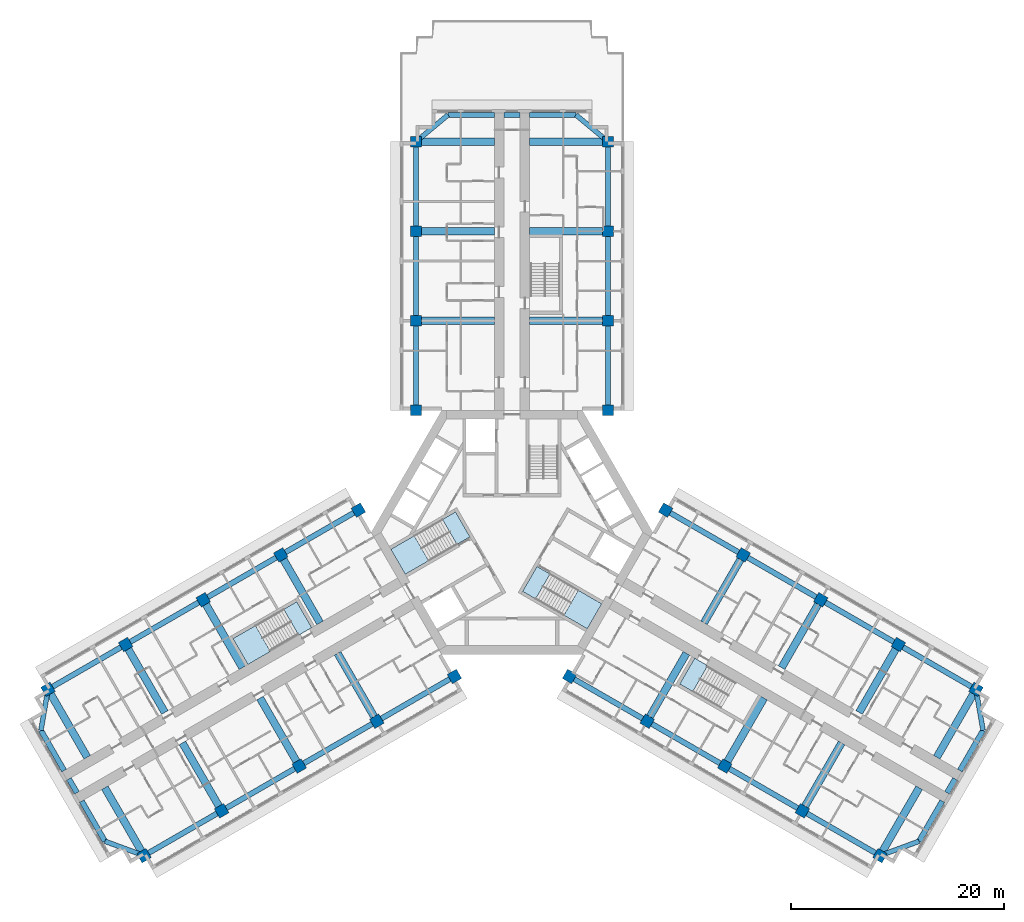
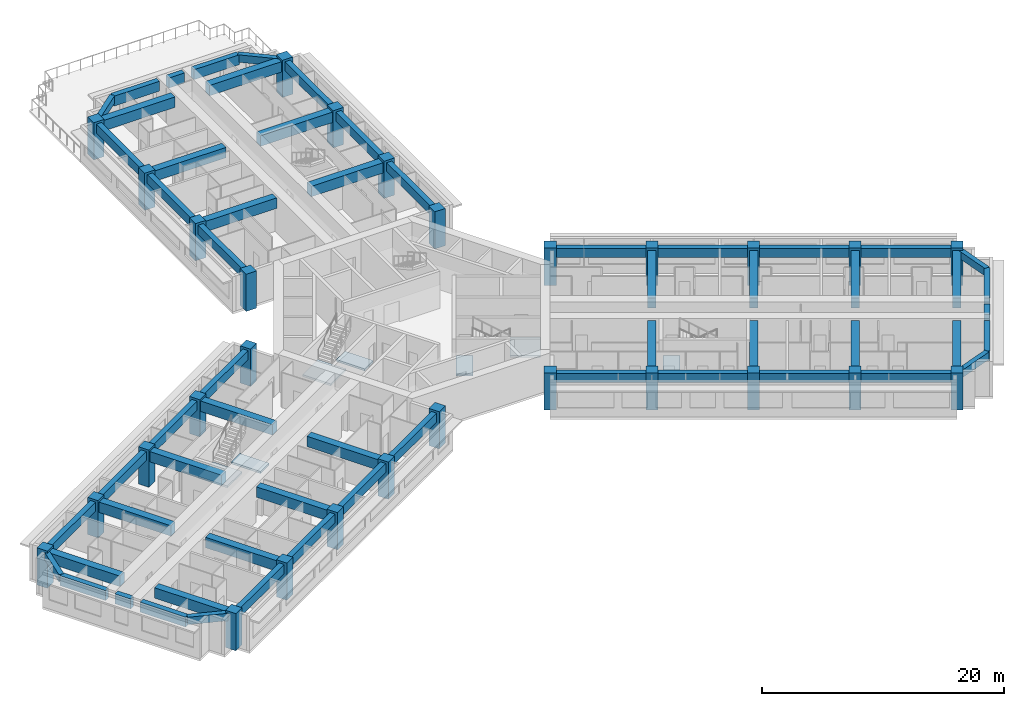
# One storey, part 1 of 16: 59 beams, 28 columns, 7 slabs, 4 elements without a shape of their own.
"""IFC4 building model written with IfcOpenShell, lengths in metres."""

from ifc_helpers import new_model, si_unit, direction, frame, origin, origin_2d, place, context, subcontext, project, spatial, polyline, rectangle, outline, extrude, material, layer, layer_set, material_profile, profile_set, type_object, element, aggregate, save


model = new_model("IFC4")

# Units and contexts
model_context = context("Model", 3, precision=1e-05, world=origin(), true_north=direction((0.0, 1.0)))
body_context = subcontext(model_context, "Body", "Model", "MODEL_VIEW")
ifc_project = project(units=[si_unit("LENGTHUNIT", "METRE"), si_unit("AREAUNIT", "SQUARE_METRE"), si_unit("VOLUMEUNIT", "CUBIC_METRE"), si_unit("PLANEANGLEUNIT", "RADIAN"), si_unit("MASSUNIT", "GRAM", prefix="KILO")], contexts=[model_context])

# Site, building, storey
site_placement = place(None, origin())
site = spatial("IfcSite", under=ifc_project, at=site_placement, CompositionType="ELEMENT")
building_placement = place(site_placement, origin())
building = spatial("IfcBuilding", under=site, at=building_placement, Name="Impinga Residences", CompositionType="ELEMENT")
storey_placement = place(building_placement, frame((0.0, 0.0, 106.0)))
storey = spatial("IfcBuildingStorey", under=building, at=storey_placement, Name="L25", CompositionType="ELEMENT", Elevation=106.0)

# Columns
ifc_material_1 = material(Name="Concrete C60/75", Category="concrete")
ifc_material_profile_1 = material_profile(ifc_material_1, rectangle(XDim=1.0, YDim=1.0, at=origin_2d()), Name="RC 1000x1000")
ifc_profile_set_1 = profile_set([ifc_material_profile_1], Name="Concrete C60/75")
column_type = type_object("IfcColumnType", Name="C3 1000x1000 column", PredefinedType="COLUMN", material=ifc_profile_set_1)
for number, where, z_axis, x_axis, name in (
    (1, (-9.0, 11.431640625, 0.0), (0.0, 0.0, 1.0), (1.0, 0.0, 0.0), "Column C3 N1/NA L25"),
    (2, (9.0, 11.431640625, 0.0), (0.0, 0.0, 1.0), (1.0, 0.0, 0.0), "Column C3 N1/NF L25"),
    (3, (-9.0, 19.83154296875, 0.0), (0.0, 0.0, 1.0), (1.0, 0.0, 0.0), "Column C3 N2/NA L25"),
    (4, (9.0, 19.83154296875, 0.0), (0.0, 0.0, 1.0), (1.0, 0.0, 0.0), "Column C3 N2/NF L25"),
    (5, (-9.0, 28.2314453125, 0.0), (0.0, 0.0, 1.0), (1.0, 0.0, 0.0), "Column C3 N3/NA L25"),
    (6, (9.0, 28.2314453125, 0.0), (0.0, 0.0, 1.0), (1.0, 0.0, 0.0), "Column C3 N3/NF L25"),
    (7, (-9.0, 36.631591796875, 0.0), (0.0, 0.0, 1.0), (1.0, 0.0, 0.0), "Column C3 N4/NA L25"),
    (8, (9.0, 36.631591796875, 0.0), (0.0, 0.0, 1.0), (1.0, 0.0, 0.0), "Column C3 N4/NF L25"),
    (9, (-5.39990234375, -13.510009765625, 0.0), (0.0, 0.0, 1.0), (-0.5, 0.866025403784, 0.0), "Column C3 W1/WA L25"),
    (10, (-14.39990234375, 2.078369140625, 0.0), (0.0, 0.0, 1.0), (-0.5, 0.866025403784, 0.0), "Column C3 W1/WF L25"),
    (11, (-12.674560546875, -17.7099609375, 0.0), (0.0, 0.0, 1.0), (-0.5, 0.866025403784, 0.0), "Column C3 W2/WA L25"),
    (12, (-21.674560546875, -2.12158203125, 0.0), (0.0, 0.0, 1.0), (-0.5, 0.866025403784, 0.0), "Column C3 W2/WF L25"),
    (13, (-19.94921875, -21.909912109375, 0.0), (0.0, 0.0, 1.0), (-0.5, 0.866025403784, 0.0), "Column C3 W3/WA L25"),
    (14, (-28.94921875, -6.321533203125, 0.0), (0.0, 0.0, 1.0), (-0.5, 0.866025403784, 0.0), "Column C3 W3/WF L25"),
    (15, (-27.223876953125, -26.110107421875, 0.0), (0.0, 0.0, 1.0), (-0.5, 0.866025403784, 0.0), "Column C3 W4/WA L25"),
    (16, (-36.223876953125, -10.521484375, 0.0), (0.0, 0.0, 1.0), (-0.5, 0.866025403784, 0.0), "Column C3 W4/WF L25"),
    (17, (-34.49853515625, -30.31005859375, 0.0), (0.0, 0.0, 1.0), (-0.5, 0.866025403784, 0.0), "Column C3 W5/WA L25"),
    (18, (-43.49853515625, -14.721435546875, 0.0), (0.0, 0.0, 1.0), (-0.5, 0.866025403784, 0.0), "Column C3 W5/WF L25"),
    (19, (14.39990234375, 2.078369140625, 0.0), (0.0, 0.0, 1.0), (-0.5, -0.866025403784, 0.0), "Column C3 E1/EA L25"),
    (20, (5.39990234375, -13.510009765625, 0.0), (0.0, 0.0, 1.0), (-0.5, -0.866025403784, 0.0), "Column C3 E1/EF L25"),
    (21, (21.674560546875, -2.12158203125, 0.0), (0.0, 0.0, 1.0), (-0.5, -0.866025403784, 0.0), "Column C3 E2/EA L25"),
    (22, (12.674560546875, -17.7099609375, 0.0), (0.0, 0.0, 1.0), (-0.5, -0.866025403784, 0.0), "Column C3 E2/EF L25"),
    (23, (28.94921875, -6.321533203125, 0.0), (0.0, 0.0, 1.0), (-0.5, -0.866025403784, 0.0), "Column C3 E3/EA L25"),
    (24, (19.94921875, -21.909912109375, 0.0), (0.0, 0.0, 1.0), (-0.5, -0.866025403784, 0.0), "Column C3 E3/EF L25"),
    (25, (36.223876953125, -10.521484375, 0.0), (0.0, 0.0, 1.0), (-0.5, -0.866025403784, 0.0), "Column C3 E4/EA L25"),
    (26, (27.223876953125, -26.110107421875, 0.0), (0.0, 0.0, 1.0), (-0.5, -0.866025403784, 0.0), "Column C3 E4/EF L25"),
    (27, (43.49853515625, -14.721435546875, 0.0), (0.0, 0.0, 1.0), (-0.5, -0.866025403784, 0.0), "Column C3 E5/EA L25"),
    (28, (34.49853515625, -30.31005859375, 0.0), (0.0, 0.0, 1.0), (-0.5, -0.866025403784, 0.0), "Column C3 E5/EF L25"),
):
    element("IfcColumn", number, at=place(storey_placement, frame(where, z_axis=z_axis, x_axis=x_axis)), inside=storey, type_object=column_type, Name=name, PredefinedType="COLUMN", context=body_context, shape_type="SweptSolid", body=[
        extrude(rectangle(XDim=1.0, YDim=1.0, at=origin_2d()), origin(), (0.0, 0.0, 1.0), 3.75),
    ])

# Beams
ifc_material_profile_2 = material_profile(ifc_material_1, rectangle(XDim=0.449951171875, YDim=0.75, at=origin_2d()), Name="RC 450x750")
ifc_profile_set_2 = profile_set([ifc_material_profile_2], Name="Concrete C60/75")
beam_type_1 = type_object("IfcBeamType", Name="CB1 450x750 wing end cantilever beam", PredefinedType="BEAM", material=ifc_profile_set_2)
for number, where, z_axis, x_axis, name in (
    (29, (-9.0, 36.631591796875, 3.155029296875), (0.768221279597, 0.640184399664, 0.0), (-0.640184399664, 0.768221279597, 0.0), "Beam CB1 NB N4-NX level L26"),
    (30, (9.0, 36.631591796875, 3.155029296875), (-0.768221279597, 0.640184399664, 0.0), (-0.640184399664, -0.768221279597, 0.0), "Beam CB1 NE N4-NX level L26"),
    (31, (-34.49853515625, -30.31005859375, 3.155029296875), (-0.938520178725, 0.345224382289, 0.0), (-0.345224382289, -0.938520178725, 0.0), "Beam CB1 WB W5-WX level L26"),
):
    element("IfcBeam", number, at=place(storey_placement, frame(where, z_axis=z_axis, x_axis=x_axis)), inside=storey, type_object=beam_type_1, Name=name, PredefinedType="BEAM", context=body_context, shape_type="SweptSolid", body=[
        extrude(rectangle(XDim=0.449951171875, YDim=0.75, at=origin_2d()), origin(), (0.0, 0.0, 1.0), 3.905029296875),
    ])
for number, where, z_axis, x_axis, name in (
    (32, (-43.49853515625, -14.721435546875, 3.155029296875), (-0.170296298948, -0.985392901621, 0.0), (0.985392901621, -0.170296298948, 0.0), "Beam CB1 WE W5-WX level L26"),
    (33, (43.49853515625, -14.721435546875, 3.155029296875), (0.170296298948, -0.985392901621, 0.0), (0.985392901621, 0.170296298948, 0.0), "Beam CB1 EB E5-EX level L26"),
):
    element("IfcBeam", number, at=place(storey_placement, frame(where, z_axis=z_axis, x_axis=x_axis)), inside=storey, type_object=beam_type_1, Name=name, PredefinedType="BEAM", context=body_context, shape_type="SweptSolid", body=[
        extrude(rectangle(XDim=0.449951171875, YDim=0.75, at=origin_2d()), origin(), (0.0, 0.0, 1.0), 3.9052734375),
    ])
beam_1_placement = place(storey_placement, frame((34.49853515625, -30.31005859375, 3.155029296875), z_axis=(0.938520178725, 0.345224382289, 0.0), x_axis=(-0.345224382289, 0.938520178725, 0.0)))
element("IfcBeam", 34, at=beam_1_placement, inside=storey, type_object=beam_type_1, Name="Beam CB1 EE E5-EX level L26", PredefinedType="BEAM", context=body_context, shape_type="SweptSolid", body=[
    extrude(rectangle(XDim=0.449951171875, YDim=0.75, at=origin_2d()), origin(), (0.0, 0.0, 1.0), 3.905029296875),
])
ifc_material_profile_3 = material_profile(ifc_material_1, rectangle(XDim=0.699951171875, YDim=1.050048828125, at=origin_2d()), Name="RC 700x1050")
ifc_profile_set_3 = profile_set([ifc_material_profile_3], Name="Concrete C60/75")
beam_type_2 = type_object("IfcBeamType", Name="CG1 700x1050 cross girder on a wing bay line", PredefinedType="BEAM", material=ifc_profile_set_3)
for number, where, z_axis, x_axis, name in (
    (35, (-1.64990234375, 19.83154296875, 3.0048828125), (-1.0, 0.0, 0.0), (0.0, -1.0, 0.0), "Beam CG1 N2 NC/NA level L26"),
    (36, (-1.64990234375, 28.2314453125, 3.0048828125), (-1.0, 0.0, 0.0), (0.0, -1.0, 0.0), "Beam CG1 N3 NC/NA level L26"),
    (37, (-1.64990234375, 36.631591796875, 3.0048828125), (-1.0, 0.0, 0.0), (0.0, -1.0, 0.0), "Beam CG1 N4 NC/NA level L26"),
    (38, (1.64990234375, 19.83154296875, 3.0048828125), (1.0, 0.0, 0.0), (0.0, 1.0, 0.0), "Beam CG1 N2 NC/NF level L26"),
    (39, (1.64990234375, 28.2314453125, 3.0048828125), (1.0, 0.0, 0.0), (0.0, 1.0, 0.0), "Beam CG1 N3 NC/NF level L26"),
    (40, (1.64990234375, 36.631591796875, 3.0048828125), (1.0, 0.0, 0.0), (0.0, 1.0, 0.0), "Beam CG1 N4 NC/NF level L26"),
    (41, (-16.349609375, -11.3447265625, 3.0048828125), (0.500008066151, -0.86602074674, 0.0), (0.86602074674, 0.500008066151, 0.0), "Beam CG1 W2 WC/WA level L26"),
    (42, (-23.624267578125, -15.544677734375, 3.0048828125), (0.500008066151, -0.86602074674, 0.0), (0.86602074674, 0.500008066151, 0.0), "Beam CG1 W3 WC/WA level L26"),
    (43, (-30.89892578125, -19.74462890625, 3.0048828125), (0.499993683172, -0.866029050776, 0.0), (0.866029050776, 0.499993683172, 0.0), "Beam CG1 W4 WC/WA level L26"),
):
    element("IfcBeam", number, at=place(storey_placement, frame(where, z_axis=z_axis, x_axis=x_axis)), inside=storey, type_object=beam_type_2, Name=name, PredefinedType="BEAM", context=body_context, shape_type="SweptSolid", body=[
        extrude(rectangle(XDim=0.699951171875, YDim=1.050048828125, at=origin_2d()), origin(), (0.0, 0.0, 1.0), 7.35009765625),
    ])
beam_2_placement = place(storey_placement, frame((-38.17333984375, -23.94482421875, 3.0048828125), z_axis=(0.499983153418, -0.866035129944, 0.0), x_axis=(0.866035129944, 0.499983153418, 0.0)))
element("IfcBeam", 44, at=beam_2_placement, inside=storey, type_object=beam_type_2, Name="Beam CG1 W5 WC/WA level L26", PredefinedType="BEAM", context=body_context, shape_type="SweptSolid", body=[
    extrude(rectangle(XDim=0.699951171875, YDim=1.050048828125, at=origin_2d()), origin(), (0.0, 0.0, 1.0), 7.349853515625),
])
for number, where, z_axis, x_axis, name in (
    (45, (-17.99951171875, -8.48681640625, 3.0048828125), (-0.500008066151, 0.86602074674, 0.0), (-0.86602074674, -0.500008066151, 0.0), "Beam CG1 W2 WC/WF level L26"),
    (46, (-25.274169921875, -12.686767578125, 3.0048828125), (-0.500008066151, 0.86602074674, 0.0), (-0.86602074674, -0.500008066151, 0.0), "Beam CG1 W3 WC/WF level L26"),
    (47, (-32.548828125, -16.88671875, 3.0048828125), (-0.500008066151, 0.86602074674, 0.0), (-0.86602074674, -0.500008066151, 0.0), "Beam CG1 W4 WC/WF level L26"),
    (48, (-39.823486328125, -21.0869140625, 3.0048828125), (-0.499993683172, 0.866029050776, 0.0), (-0.866029050776, -0.499993683172, 0.0), "Beam CG1 W5 WC/WF level L26"),
    (49, (17.99951171875, -8.48681640625, 3.0048828125), (0.500008066151, 0.86602074674, 0.0), (-0.86602074674, 0.500008066151, 0.0), "Beam CG1 E2 EC/EA level L26"),
    (50, (25.274169921875, -12.686767578125, 3.0048828125), (0.500008066151, 0.86602074674, 0.0), (-0.86602074674, 0.500008066151, 0.0), "Beam CG1 E3 EC/EA level L26"),
    (51, (32.548828125, -16.88671875, 3.0048828125), (0.500008066151, 0.86602074674, 0.0), (-0.86602074674, 0.500008066151, 0.0), "Beam CG1 E4 EC/EA level L26"),
    (52, (39.823486328125, -21.0869140625, 3.0048828125), (0.499993683172, 0.866029050776, 0.0), (-0.866029050776, 0.499993683172, 0.0), "Beam CG1 E5 EC/EA level L26"),
    (53, (16.349609375, -11.3447265625, 3.0048828125), (-0.500008066151, -0.86602074674, 0.0), (0.86602074674, -0.500008066151, 0.0), "Beam CG1 E2 EC/EF level L26"),
    (54, (23.624267578125, -15.544677734375, 3.0048828125), (-0.500008066151, -0.86602074674, 0.0), (0.86602074674, -0.500008066151, 0.0), "Beam CG1 E3 EC/EF level L26"),
    (55, (30.89892578125, -19.74462890625, 3.0048828125), (-0.499993683172, -0.866029050776, 0.0), (0.866029050776, -0.499993683172, 0.0), "Beam CG1 E4 EC/EF level L26"),
):
    element("IfcBeam", number, at=place(storey_placement, frame(where, z_axis=z_axis, x_axis=x_axis)), inside=storey, type_object=beam_type_2, Name=name, PredefinedType="BEAM", context=body_context, shape_type="SweptSolid", body=[
        extrude(rectangle(XDim=0.699951171875, YDim=1.050048828125, at=origin_2d()), origin(), (0.0, 0.0, 1.0), 7.35009765625),
    ])
beam_3_placement = place(storey_placement, frame((38.17333984375, -23.94482421875, 3.0048828125), z_axis=(-0.499983153418, -0.866035129944, 0.0), x_axis=(0.866035129944, -0.499983153418, 0.0)))
element("IfcBeam", 56, at=beam_3_placement, inside=storey, type_object=beam_type_2, Name="Beam CG1 E5 EC/EF level L26", PredefinedType="BEAM", context=body_context, shape_type="SweptSolid", body=[
    extrude(rectangle(XDim=0.699951171875, YDim=1.050048828125, at=origin_2d()), origin(), (0.0, 0.0, 1.0), 7.349853515625),
])
ifc_material_profile_4 = material_profile(ifc_material_1, rectangle(XDim=0.5, YDim=1.0, at=origin_2d()), Name="RC 500x1000")
ifc_profile_set_4 = profile_set([ifc_material_profile_4], Name="Concrete C60/75")
beam_type_3 = type_object("IfcBeamType", Name="EB1 500x1000 wing end beam", PredefinedType="BEAM", material=ifc_profile_set_4)
beam_4_placement = place(storey_placement, frame((-6.0, 39.131591796875, 3.030029296875), z_axis=(1.0, 0.0, 0.0), x_axis=(0.0, 1.0, 0.0)))
element("IfcBeam", 57, at=beam_4_placement, inside=storey, type_object=beam_type_3, Name="Beam EB1 NX3 level L26", PredefinedType="BEAM", context=body_context, shape_type="SweptSolid", body=[
    extrude(rectangle(XDim=0.5, YDim=1.0, at=origin_2d()), origin(), (0.0, 0.0, 1.0), 4.35009765625),
])
beam_5_placement = place(storey_placement, frame((-0.75, 39.131591796875, 3.030029296875), z_axis=(1.0, 0.0, 0.0), x_axis=(0.0, 1.0, 0.0)))
element("IfcBeam", 58, at=beam_5_placement, inside=storey, type_object=beam_type_3, Name="Beam EB1 NX3 level L26", PredefinedType="BEAM", context=body_context, shape_type="SweptSolid", body=[
    extrude(rectangle(XDim=0.5, YDim=1.0, at=origin_2d()), origin(), (0.0, 0.0, 1.0), 1.5),
])
beam_6_placement = place(storey_placement, frame((1.64990234375, 39.131591796875, 3.030029296875), z_axis=(1.0, 0.0, 0.0), x_axis=(0.0, 1.0, 0.0)))
element("IfcBeam", 59, at=beam_6_placement, inside=storey, type_object=beam_type_3, Name="Beam EB1 NX3 level L26", PredefinedType="BEAM", context=body_context, shape_type="SweptSolid", body=[
    extrude(rectangle(XDim=0.5, YDim=1.0, at=origin_2d()), origin(), (0.0, 0.0, 1.0), 4.35009765625),
])
beam_7_placement = place(storey_placement, frame((-38.16357421875, -28.9619140625, 3.030029296875), z_axis=(-0.500020430026, 0.866013608182, 0.0), x_axis=(-0.866013608182, -0.500020430026, 0.0)))
element("IfcBeam", 60, at=beam_7_placement, inside=storey, type_object=beam_type_3, Name="Beam EB1 WX4 level L26", PredefinedType="BEAM", context=body_context, shape_type="SweptSolid", body=[
    extrude(rectangle(XDim=0.5, YDim=1.0, at=origin_2d()), origin(), (0.0, 0.0, 1.0), 4.349853515625),
])
beam_8_placement = place(storey_placement, frame((-40.78857421875, -24.415283203125, 3.030029296875), z_axis=(-0.499990139034, 0.866031096941, 0.0), x_axis=(-0.866031096941, -0.499990139034, 0.0)))
element("IfcBeam", 61, at=beam_8_placement, inside=storey, type_object=beam_type_3, Name="Beam EB1 WX4 level L26", PredefinedType="BEAM", context=body_context, shape_type="SweptSolid", body=[
    extrude(rectangle(XDim=0.5, YDim=1.0, at=origin_2d()), origin(), (0.0, 0.0, 1.0), 1.5),
])
for number, where, z_axis, x_axis, name in (
    (62, (-41.988525390625, -22.3369140625, 3.030029296875), (-0.499996127374, 0.866027639635, 0.0), (-0.866027639635, -0.499996127374, 0.0), "Beam EB1 WX4 level L26"),
    (63, (44.16357421875, -18.569580078125, 3.030029296875), (-0.499996127374, -0.866027639635, 0.0), (0.866027639635, -0.499996127374, 0.0), "Beam EB1 EX4 level L26"),
):
    element("IfcBeam", number, at=place(storey_placement, frame(where, z_axis=z_axis, x_axis=x_axis)), inside=storey, type_object=beam_type_3, Name=name, PredefinedType="BEAM", context=body_context, shape_type="SweptSolid", body=[
        extrude(rectangle(XDim=0.5, YDim=1.0, at=origin_2d()), origin(), (0.0, 0.0, 1.0), 4.35009765625),
    ])
beam_9_placement = place(storey_placement, frame((41.53857421875, -23.1162109375, 3.030029296875), z_axis=(-0.499990139034, -0.866031096941, 0.0), x_axis=(0.866031096941, -0.499990139034, 0.0)))
element("IfcBeam", 64, at=beam_9_placement, inside=storey, type_object=beam_type_3, Name="Beam EB1 EX4 level L26", PredefinedType="BEAM", context=body_context, shape_type="SweptSolid", body=[
    extrude(rectangle(XDim=0.5, YDim=1.0, at=origin_2d()), origin(), (0.0, 0.0, 1.0), 1.5),
])
beam_10_placement = place(storey_placement, frame((40.338623046875, -25.19482421875, 3.030029296875), z_axis=(-0.500020430026, -0.866013608182, 0.0), x_axis=(0.866013608182, -0.500020430026, 0.0)))
element("IfcBeam", 65, at=beam_10_placement, inside=storey, type_object=beam_type_3, Name="Beam EB1 EX4 level L26", PredefinedType="BEAM", context=body_context, shape_type="SweptSolid", body=[
    extrude(rectangle(XDim=0.5, YDim=1.0, at=origin_2d()), origin(), (0.0, 0.0, 1.0), 4.349853515625),
])
ifc_material_profile_5 = material_profile(ifc_material_1, rectangle(XDim=0.5, YDim=0.89990234375, at=origin_2d()), Name="RC 500x900")
ifc_profile_set_5 = profile_set([ifc_material_profile_5], Name="Concrete C60/75")
beam_type_4 = type_object("IfcBeamType", Name="SB1 500x900 perimeter spandrel beam", PredefinedType="SPANDREL", material=ifc_profile_set_5)
for number, where, z_axis, x_axis, name in (
    (66, (-9.0, 11.431640625, 3.080078125), (0.0, 1.0, 0.0), (-1.0, 0.0, 0.0), "Beam SB1 NA N1-N2 level L26"),
    (67, (-9.0, 19.83154296875, 3.080078125), (0.0, 1.0, 0.0), (-1.0, 0.0, 0.0), "Beam SB1 NA N2-N3 level L26"),
):
    element("IfcBeam", number, at=place(storey_placement, frame(where, z_axis=z_axis, x_axis=x_axis)), inside=storey, type_object=beam_type_4, Name=name, PredefinedType="SPANDREL", context=body_context, shape_type="SweptSolid", body=[
        extrude(rectangle(XDim=0.5, YDim=0.89990234375, at=origin_2d()), origin(), (0.0, 0.0, 1.0), 8.39990234375),
    ])
beam_11_placement = place(storey_placement, frame((-9.0, 28.2314453125, 3.080078125), z_axis=(0.0, 1.0, 0.0), x_axis=(-1.0, 0.0, 0.0)))
element("IfcBeam", 68, at=beam_11_placement, inside=storey, type_object=beam_type_4, Name="Beam SB1 NA N3-N4 level L26", PredefinedType="SPANDREL", context=body_context, shape_type="SweptSolid", body=[
    extrude(rectangle(XDim=0.5, YDim=0.89990234375, at=origin_2d()), origin(), (0.0, 0.0, 1.0), 8.400146484375),
])
for number, where, z_axis, x_axis, name in (
    (69, (9.0, 11.431640625, 3.080078125), (0.0, 1.0, 0.0), (-1.0, 0.0, 0.0), "Beam SB1 NF N1-N2 level L26"),
    (70, (9.0, 19.83154296875, 3.080078125), (0.0, 1.0, 0.0), (-1.0, 0.0, 0.0), "Beam SB1 NF N2-N3 level L26"),
):
    element("IfcBeam", number, at=place(storey_placement, frame(where, z_axis=z_axis, x_axis=x_axis)), inside=storey, type_object=beam_type_4, Name=name, PredefinedType="SPANDREL", context=body_context, shape_type="SweptSolid", body=[
        extrude(rectangle(XDim=0.5, YDim=0.89990234375, at=origin_2d()), origin(), (0.0, 0.0, 1.0), 8.39990234375),
    ])
beam_12_placement = place(storey_placement, frame((9.0, 28.2314453125, 3.080078125), z_axis=(0.0, 1.0, 0.0), x_axis=(-1.0, 0.0, 0.0)))
element("IfcBeam", 71, at=beam_12_placement, inside=storey, type_object=beam_type_4, Name="Beam SB1 NF N3-N4 level L26", PredefinedType="SPANDREL", context=body_context, shape_type="SweptSolid", body=[
    extrude(rectangle(XDim=0.5, YDim=0.89990234375, at=origin_2d()), origin(), (0.0, 0.0, 1.0), 8.400146484375),
])
for number, where, z_axis, x_axis, name in (
    (72, (-5.39990234375, -13.510009765625, 3.080078125), (-0.86602925447, -0.499993330357, 0.0), (0.499993330357, -0.86602925447, 0.0), "Beam SB1 WA W1-W2 level L26"),
    (73, (-12.674560546875, -17.7099609375, 3.080078125), (-0.86602925447, -0.499993330357, 0.0), (0.499993330357, -0.86602925447, 0.0), "Beam SB1 WA W2-W3 level L26"),
):
    element("IfcBeam", number, at=place(storey_placement, frame(where, z_axis=z_axis, x_axis=x_axis)), inside=storey, type_object=beam_type_4, Name=name, PredefinedType="SPANDREL", context=body_context, shape_type="SweptSolid", body=[
        extrude(rectangle(XDim=0.5, YDim=0.89990234375, at=origin_2d()), origin(), (0.0, 0.0, 1.0), 8.39990234375),
    ])
beam_13_placement = place(storey_placement, frame((-19.94921875, -21.909912109375, 3.080078125), z_axis=(-0.866016669275, -0.500015128309, 0.0), x_axis=(0.500015128309, -0.866016669275, 0.0)))
element("IfcBeam", 74, at=beam_13_placement, inside=storey, type_object=beam_type_4, Name="Beam SB1 WA W3-W4 level L26", PredefinedType="SPANDREL", context=body_context, shape_type="SweptSolid", body=[
    extrude(rectangle(XDim=0.5, YDim=0.89990234375, at=origin_2d()), origin(), (0.0, 0.0, 1.0), 8.400146484375),
])
for number, where, z_axis, x_axis, name in (
    (75, (-27.223876953125, -26.110107421875, 3.080078125), (-0.86602925447, -0.499993330357, 0.0), (0.499993330357, -0.86602925447, 0.0), "Beam SB1 WA W4-W5 level L26"),
    (76, (-14.39990234375, 2.078369140625, 3.080078125), (-0.86602925447, -0.499993330357, 0.0), (0.499993330357, -0.86602925447, 0.0), "Beam SB1 WF W1-W2 level L26"),
    (77, (-21.674560546875, -2.12158203125, 3.080078125), (-0.86602925447, -0.499993330357, 0.0), (0.499993330357, -0.86602925447, 0.0), "Beam SB1 WF W2-W3 level L26"),
    (78, (-28.94921875, -6.321533203125, 3.080078125), (-0.86602925447, -0.499993330357, 0.0), (0.499993330357, -0.86602925447, 0.0), "Beam SB1 WF W3-W4 level L26"),
    (79, (-36.223876953125, -10.521484375, 3.080078125), (-0.86602925447, -0.499993330357, 0.0), (0.499993330357, -0.86602925447, 0.0), "Beam SB1 WF W4-W5 level L26"),
    (80, (14.39990234375, 2.078369140625, 3.080078125), (0.86602925447, -0.499993330357, 0.0), (0.499993330357, 0.86602925447, 0.0), "Beam SB1 EA E1-E2 level L26"),
    (81, (21.674560546875, -2.12158203125, 3.080078125), (0.86602925447, -0.499993330357, 0.0), (0.499993330357, 0.86602925447, 0.0), "Beam SB1 EA E2-E3 level L26"),
    (82, (28.94921875, -6.321533203125, 3.080078125), (0.86602925447, -0.499993330357, 0.0), (0.499993330357, 0.86602925447, 0.0), "Beam SB1 EA E3-E4 level L26"),
    (83, (36.223876953125, -10.521484375, 3.080078125), (0.86602925447, -0.499993330357, 0.0), (0.499993330357, 0.86602925447, 0.0), "Beam SB1 EA E4-E5 level L26"),
    (84, (5.39990234375, -13.510009765625, 3.080078125), (0.86602925447, -0.499993330357, 0.0), (0.499993330357, 0.86602925447, 0.0), "Beam SB1 EF E1-E2 level L26"),
    (85, (12.674560546875, -17.7099609375, 3.080078125), (0.86602925447, -0.499993330357, 0.0), (0.499993330357, 0.86602925447, 0.0), "Beam SB1 EF E2-E3 level L26"),
):
    element("IfcBeam", number, at=place(storey_placement, frame(where, z_axis=z_axis, x_axis=x_axis)), inside=storey, type_object=beam_type_4, Name=name, PredefinedType="SPANDREL", context=body_context, shape_type="SweptSolid", body=[
        extrude(rectangle(XDim=0.5, YDim=0.89990234375, at=origin_2d()), origin(), (0.0, 0.0, 1.0), 8.39990234375),
    ])
beam_14_placement = place(storey_placement, frame((19.94921875, -21.909912109375, 3.080078125), z_axis=(0.866016669275, -0.500015128309, 0.0), x_axis=(0.500015128309, 0.866016669275, 0.0)))
element("IfcBeam", 86, at=beam_14_placement, inside=storey, type_object=beam_type_4, Name="Beam SB1 EF E3-E4 level L26", PredefinedType="SPANDREL", context=body_context, shape_type="SweptSolid", body=[
    extrude(rectangle(XDim=0.5, YDim=0.89990234375, at=origin_2d()), origin(), (0.0, 0.0, 1.0), 8.400146484375),
])
beam_15_placement = place(storey_placement, frame((27.223876953125, -26.110107421875, 3.080078125), z_axis=(0.86602925447, -0.499993330357, 0.0), x_axis=(0.499993330357, 0.86602925447, 0.0)))
element("IfcBeam", 87, at=beam_15_placement, inside=storey, type_object=beam_type_4, Name="Beam SB1 EF E4-E5 level L26", PredefinedType="SPANDREL", context=body_context, shape_type="SweptSolid", body=[
    extrude(rectangle(XDim=0.5, YDim=0.89990234375, at=origin_2d()), origin(), (0.0, 0.0, 1.0), 8.39990234375),
])

# Stair, slabs
ifc_material_2 = material(Name="Concrete C40/50", Category="concrete")
stair_type_1 = type_object("IfcStairType", Name="STR core stair 3750 storey, 24 risers", PredefinedType="HALF_TURN_STAIR", material=ifc_material_2)
stair_1_placement = place(storey_placement, origin())
stair_1 = element("IfcStair", 88, at=stair_1_placement, inside=storey, type_object=stair_type_1, Name="Stair ST2 L25", PredefinedType="HALF_TURN_STAIR")
ifc_layer = layer(ifc_material_2, 0.199951171875)
ifc_layer_set = layer_set([ifc_layer], Name="Concrete C40/50")
slab_type = type_object("IfcSlabType", Name="LS1 stair landing 200", PredefinedType="LANDING", material=ifc_layer_set)
slab_1_placement = place(storey_placement, frame((0.0, 0.0, -0.199951171875)))
slab_1 = element("IfcSlab", 89, at=slab_1_placement, type_object=slab_type, Name="ST2 landing 1", PredefinedType="LANDING", context=body_context, shape_type="SweptSolid", body=[
    extrude(outline(polyline([(-3.943603515625, -0.429443359375), (-5.293701171875, 1.908935546875), (-6.5146484375, 1.203857421875), (-5.164794921875, -1.13427734375), (-3.943603515625, -0.429443359375)])), origin(), (0.0, 0.0, 1.0), 0.199951171875),
])
slab_2_placement = place(storey_placement, frame((0.0, 0.0, 1.675048828125)))
slab_2 = element("IfcSlab", 90, at=slab_2_placement, type_object=slab_type, Name="ST2 landing 2", PredefinedType="LANDING", context=body_context, shape_type="SweptSolid", body=[
    extrude(outline(polyline([(-7.814697265625, -2.664306640625), (-9.164794921875, -0.326171875), (-11.357177734375, -1.591796875), (-10.007080078125, -3.93017578125), (-7.814697265625, -2.664306640625)])), origin(), (0.0, 0.0, 1.0), 0.199951171875),
])
aggregate(stair_1, [slab_1, slab_2])

stair_2_placement = place(storey_placement, origin())
stair_2 = element("IfcStair", 91, at=stair_2_placement, inside=storey, type_object=stair_type_1, Name="Stair ST3 L25", PredefinedType="HALF_TURN_STAIR")
slab_3_placement = place(storey_placement, frame((0.0, 0.0, -0.199951171875)))
slab_3 = element("IfcSlab", 92, at=slab_3_placement, type_object=slab_type, Name="ST3 landing 1", PredefinedType="LANDING", context=body_context, shape_type="SweptSolid", body=[
    extrude(outline(polyline([(2.34375, -3.20068359375), (0.99365234375, -5.538818359375), (2.21484375, -6.243896484375), (3.564697265625, -3.90576171875), (2.34375, -3.20068359375)])), origin(), (0.0, 0.0, 1.0), 0.199951171875),
])
slab_4_placement = place(storey_placement, frame((0.0, 0.0, 1.675048828125)))
slab_4 = element("IfcSlab", 93, at=slab_4_placement, type_object=slab_type, Name="ST3 landing 2", PredefinedType="LANDING", context=body_context, shape_type="SweptSolid", body=[
    extrude(outline(polyline([(6.21484375, -5.435546875), (4.86474609375, -7.77392578125), (7.05712890625, -9.039794921875), (8.4072265625, -6.701416015625), (6.21484375, -5.435546875)])), origin(), (0.0, 0.0, 1.0), 0.199951171875),
])
aggregate(stair_2, [slab_3, slab_4])

stair_type_2 = type_object("IfcStairType", Name="STR wing stair 3750 storey, 24 risers", PredefinedType="HALF_TURN_STAIR", material=ifc_material_2)
stair_3_placement = place(storey_placement, origin())
stair_3 = element("IfcStair", 94, at=stair_3_placement, inside=storey, type_object=stair_type_2, Name="Stair WS2 L25", PredefinedType="HALF_TURN_STAIR")
slab_5_placement = place(storey_placement, frame((0.0, 0.0, -0.199951171875)))
slab_5 = element("IfcSlab", 95, at=slab_5_placement, type_object=slab_type, Name="WS2 landing 1", PredefinedType="LANDING", context=body_context, shape_type="SweptSolid", body=[
    extrude(outline(polyline([(-18.779052734375, -8.936767578125), (-20.178955078125, -6.511962890625), (-21.400146484375, -7.217041015625), (-20.000244140625, -9.641845703125), (-18.779052734375, -8.936767578125)])), origin(), (0.0, 0.0, 1.0), 0.199951171875),
])
slab_6_placement = place(storey_placement, frame((0.0, 0.0, 1.675048828125)))
slab_6 = element("IfcSlab", 96, at=slab_6_placement, type_object=slab_type, Name="WS2 landing 2", PredefinedType="LANDING", context=body_context, shape_type="SweptSolid", body=[
    extrude(outline(polyline([(-22.650146484375, -11.171875), (-24.050048828125, -8.7470703125), (-26.154541015625, -9.9619140625), (-24.754638671875, -12.38671875), (-22.650146484375, -11.171875)])), origin(), (0.0, 0.0, 1.0), 0.199951171875),
])
aggregate(stair_3, [slab_5, slab_6])

# Stair, slab
stair_4_placement = place(storey_placement, origin())
stair_4 = element("IfcStair", 97, at=stair_4_placement, inside=storey, type_object=stair_type_2, Name="Stair WS3 L25", PredefinedType="HALF_TURN_STAIR")
slab_7_placement = place(storey_placement, frame((0.0, 0.0, -0.199951171875)))
slab_7 = element("IfcSlab", 98, at=slab_7_placement, type_object=slab_type, Name="WS3 landing 1", PredefinedType="LANDING", context=body_context, shape_type="SweptSolid", body=[
    extrude(outline(polyline([(17.129150390625, -11.794677734375), (15.72900390625, -14.219482421875), (16.9501953125, -14.924560546875), (18.35009765625, -12.499755859375), (17.129150390625, -11.794677734375)])), origin(), (0.0, 0.0, 1.0), 0.199951171875),
])
aggregate(stair_4, [slab_7])

save(model, "model.ifc")
